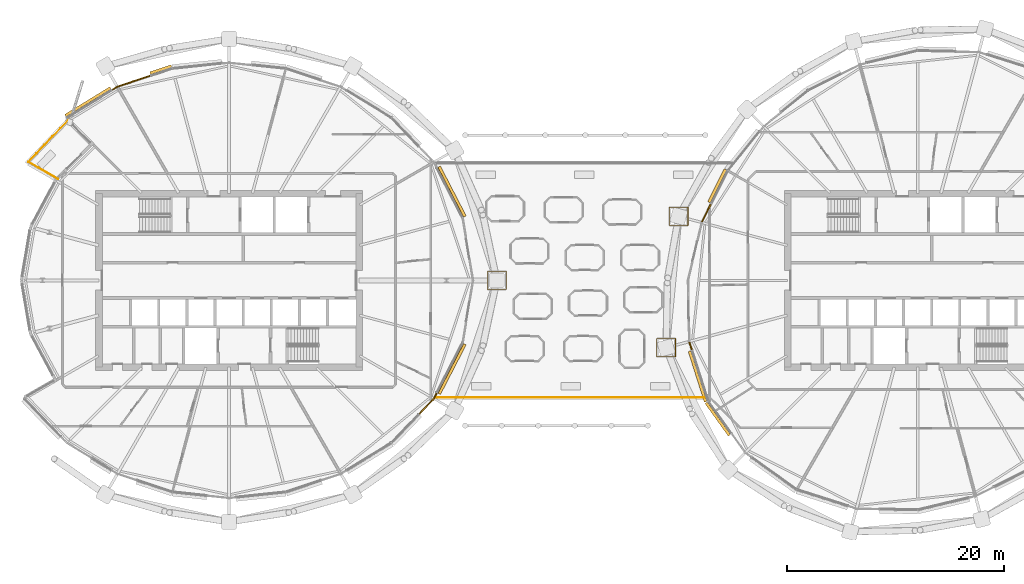
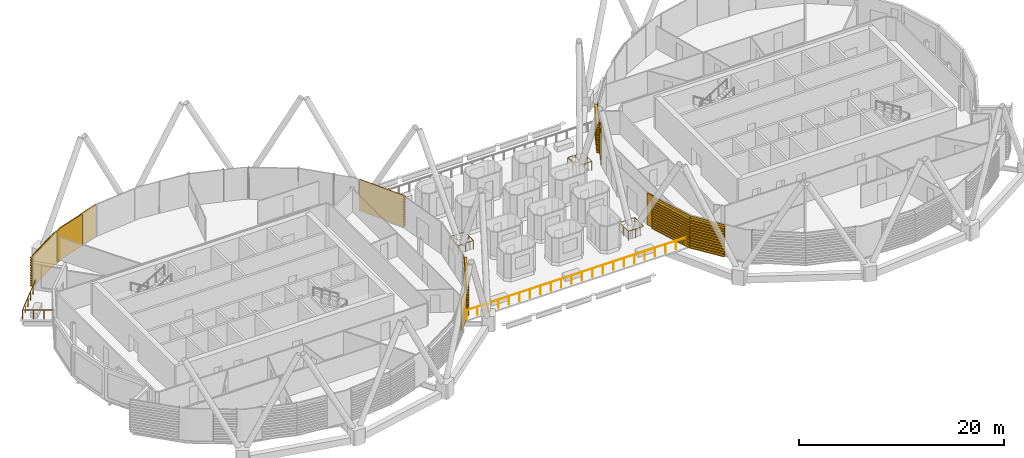
# One storey, part 34 of 38: 11 coverings, 5 railings.
"""IFC4 building model written with IfcOpenShell, lengths in metres."""

from ifc_helpers import new_model, si_unit, direction, frame, origin, origin_2d, place, context, subcontext, project, spatial, polyline, circle, outline, extrude, material, layer, layer_set, material_profile, profile_set, type_object, element, save


model = new_model("IFC4")

# Units and contexts
model_context = context("Model", 3, precision=1e-05, world=origin(), true_north=direction((0.0, 1.0)))
body_context = subcontext(model_context, "Body", "Model", "MODEL_VIEW")
ifc_project = project(units=[si_unit("LENGTHUNIT", "METRE"), si_unit("AREAUNIT", "SQUARE_METRE"), si_unit("VOLUMEUNIT", "CUBIC_METRE"), si_unit("PLANEANGLEUNIT", "RADIAN"), si_unit("MASSUNIT", "GRAM", prefix="KILO")], contexts=[model_context])

# Site, building, storey
site_placement = place(None, origin())
site = spatial("IfcSite", under=ifc_project, at=site_placement, CompositionType="ELEMENT")
building_placement = place(site_placement, origin())
building = spatial("IfcBuilding", under=site, at=building_placement, Name="Rimbun Link Towers", CompositionType="ELEMENT")
storey_placement = place(building_placement, frame((0.0, 0.0, 158.89990234375)))
storey = spatial("IfcBuildingStorey", under=building, at=storey_placement, Name="L38", CompositionType="ELEMENT", Elevation=158.89990234375)

# Railings
ifc_material_1 = material(Name="Stainless steel grade 316", Category="steel")
railing_type = type_object("IfcRailingType", Name="GUARD stainless rail and posts", PredefinedType="GUARDRAIL", material=ifc_material_1)
railing_1_placement = place(storey_placement, frame((-6.208984375, 0.85498046875, 0.0)))
element("IfcRailing", 1, at=railing_1_placement, inside=storey, type_object=railing_type, Name="GUARD", PredefinedType="GUARDRAIL", context=body_context, shape_type="SweptSolid", body=[
    extrude(circle(Radius=0.02392578125, at=origin_2d()), frame((0.0, 0.0, 1.076171875), z_axis=(0.0, -1.0, 0.0), x_axis=(1.0, 0.0, 0.0)), (0.0, 0.0, 1.0), 1.7099609375),
    extrude(circle(Radius=0.02392578125, at=origin_2d()), frame((0.0, -1.7099609375, 1.076171875), z_axis=(-1.0, 0.0, 0.0), x_axis=(0.0, -1.0, 0.0)), (0.0, 0.0, 1.0), 1.7099609375),
    extrude(circle(Radius=0.02392578125, at=origin_2d()), frame((-1.7099609375, -1.7099609375, 1.076171875), z_axis=(0.0, 1.0, 0.0), x_axis=(-1.0, 0.0, 0.0)), (0.0, 0.0, 1.0), 1.7099609375),
    extrude(circle(Radius=0.02392578125, at=origin_2d()), frame((-1.7099609375, 0.0, 1.076171875), z_axis=(1.0, 0.0, 0.0), x_axis=(0.0, 1.0, 0.0)), (0.0, 0.0, 1.0), 1.7099609375),
    extrude(circle(Radius=0.02099609375, at=origin_2d()), origin(), (0.0, 0.0, 1.0), 1.052001953125),
    extrude(circle(Radius=0.02099609375, at=origin_2d()), frame((0.0, -0.85498046875, 0.0)), (0.0, 0.0, 1.0), 1.052001953125),
    extrude(circle(Radius=0.02099609375, at=origin_2d()), frame((0.0, -1.7099609375, 0.0)), (0.0, 0.0, 1.0), 1.052001953125),
    extrude(circle(Radius=0.02099609375, at=origin_2d()), frame((-0.85498046875, -1.7099609375, 0.0)), (0.0, 0.0, 1.0), 1.052001953125),
    extrude(circle(Radius=0.02099609375, at=origin_2d()), frame((-1.7099609375, -1.7099609375, 0.0)), (0.0, 0.0, 1.0), 1.052001953125),
    extrude(circle(Radius=0.02099609375, at=origin_2d()), frame((-1.7099609375, -0.85498046875, 0.0)), (0.0, 0.0, 1.0), 1.052001953125),
    extrude(circle(Radius=0.02099609375, at=origin_2d()), frame((-1.7099609375, 0.0, 0.0)), (0.0, 0.0, 1.0), 1.052001953125),
    extrude(circle(Radius=0.02099609375, at=origin_2d()), frame((-0.85498046875, 0.0, 0.0)), (0.0, 0.0, 1.0), 1.052001953125),
])
railing_2_placement = place(storey_placement, frame((10.572021484375, 6.7587890625, 0.0)))
element("IfcRailing", 2, at=railing_2_placement, inside=storey, type_object=railing_type, Name="GUARD", PredefinedType="GUARDRAIL", context=body_context, shape_type="SweptSolid", body=[
    extrude(circle(Radius=0.02392578125, at=origin_2d()), frame((0.0, 0.0, 1.076171875), z_axis=(0.0, -1.0, 0.0), x_axis=(1.0, 0.0, 0.0)), (0.0, 0.0, 1.0), 1.710205078125),
    extrude(circle(Radius=0.02392578125, at=origin_2d()), frame((0.0, -1.710205078125, 1.076171875), z_axis=(-1.0, 0.0, 0.0), x_axis=(0.0, -1.0, 0.0)), (0.0, 0.0, 1.0), 1.7099609375),
    extrude(circle(Radius=0.02392578125, at=origin_2d()), frame((-1.7099609375, -1.710205078125, 1.076171875), z_axis=(0.0, 1.0, 0.0), x_axis=(-1.0, 0.0, 0.0)), (0.0, 0.0, 1.0), 1.710205078125),
    extrude(circle(Radius=0.02392578125, at=origin_2d()), frame((-1.7099609375, 0.0, 1.076171875), z_axis=(1.0, 0.0, 0.0), x_axis=(0.0, 1.0, 0.0)), (0.0, 0.0, 1.0), 1.7099609375),
    extrude(circle(Radius=0.02099609375, at=origin_2d()), origin(), (0.0, 0.0, 1.0), 1.052001953125),
    extrude(circle(Radius=0.02099609375, at=origin_2d()), frame((0.0, -0.85498046875, 0.0)), (0.0, 0.0, 1.0), 1.052001953125),
    extrude(circle(Radius=0.02099609375, at=origin_2d()), frame((0.0, -1.710205078125, 0.0)), (0.0, 0.0, 1.0), 1.052001953125),
    extrude(circle(Radius=0.02099609375, at=origin_2d()), frame((-0.85498046875, -1.710205078125, 0.0)), (0.0, 0.0, 1.0), 1.052001953125),
    extrude(circle(Radius=0.02099609375, at=origin_2d()), frame((-1.7099609375, -1.710205078125, 0.0)), (0.0, 0.0, 1.0), 1.052001953125),
    extrude(circle(Radius=0.02099609375, at=origin_2d()), frame((-1.7099609375, -0.85498046875, 0.0)), (0.0, 0.0, 1.0), 1.052001953125),
    extrude(circle(Radius=0.02099609375, at=origin_2d()), frame((-1.7099609375, 0.0, 0.0)), (0.0, 0.0, 1.0), 1.052001953125),
    extrude(circle(Radius=0.02099609375, at=origin_2d()), frame((-0.85498046875, 0.0, 0.0)), (0.0, 0.0, 1.0), 1.052001953125),
])
railing_3_placement = place(storey_placement, frame((9.418212890625, -5.35791015625, 0.0)))
element("IfcRailing", 3, at=railing_3_placement, inside=storey, type_object=railing_type, Name="GUARD", PredefinedType="GUARDRAIL", context=body_context, shape_type="SweptSolid", body=[
    extrude(circle(Radius=0.02392578125, at=origin_2d()), frame((0.0, 0.0, 1.076171875), z_axis=(0.0, -1.0, 0.0), x_axis=(1.0, 0.0, 0.0)), (0.0, 0.0, 1.0), 1.7099609375),
    extrude(circle(Radius=0.02392578125, at=origin_2d()), frame((0.0, -1.7099609375, 1.076171875), z_axis=(-1.0, 0.0, 0.0), x_axis=(0.0, -1.0, 0.0)), (0.0, 0.0, 1.0), 1.710205078125),
    extrude(circle(Radius=0.02392578125, at=origin_2d()), frame((-1.710205078125, -1.7099609375, 1.076171875), z_axis=(0.0, 1.0, 0.0), x_axis=(-1.0, 0.0, 0.0)), (0.0, 0.0, 1.0), 1.7099609375),
    extrude(circle(Radius=0.02392578125, at=origin_2d()), frame((-1.710205078125, 0.0, 1.076171875), z_axis=(1.0, 0.0, 0.0), x_axis=(0.0, 1.0, 0.0)), (0.0, 0.0, 1.0), 1.710205078125),
    extrude(circle(Radius=0.02099609375, at=origin_2d()), origin(), (0.0, 0.0, 1.0), 1.052001953125),
    extrude(circle(Radius=0.02099609375, at=origin_2d()), frame((0.0, -0.85498046875, 0.0)), (0.0, 0.0, 1.0), 1.052001953125),
    extrude(circle(Radius=0.02099609375, at=origin_2d()), frame((0.0, -1.7099609375, 0.0)), (0.0, 0.0, 1.0), 1.052001953125),
    extrude(circle(Radius=0.02099609375, at=origin_2d()), frame((-0.85498046875, -1.7099609375, 0.0)), (0.0, 0.0, 1.0), 1.052001953125),
    extrude(circle(Radius=0.02099609375, at=origin_2d()), frame((-1.710205078125, -1.7099609375, 0.0)), (0.0, 0.0, 1.0), 1.052001953125),
    extrude(circle(Radius=0.02099609375, at=origin_2d()), frame((-1.710205078125, -0.85498046875, 0.0)), (0.0, 0.0, 1.0), 1.052001953125),
    extrude(circle(Radius=0.02099609375, at=origin_2d()), frame((-1.710205078125, 0.0, 0.0)), (0.0, 0.0, 1.0), 1.052001953125),
    extrude(circle(Radius=0.02099609375, at=origin_2d()), frame((-0.85498046875, 0.0, 0.0)), (0.0, 0.0, 1.0), 1.052001953125),
])
railing_4_placement = place(storey_placement, frame((-12.626953125, -10.800048828125, 0.0)))
element("IfcRailing", 4, at=railing_4_placement, inside=storey, type_object=railing_type, Name="GUARD", PredefinedType="GUARDRAIL", context=body_context, shape_type="SweptSolid", body=[
    extrude(circle(Radius=0.02392578125, at=origin_2d()), frame((0.0, 0.0, 1.076171875), z_axis=(1.0, 0.0, 0.0), x_axis=(0.0, 1.0, 0.0)), (0.0, 0.0, 1.0), 24.748291015625),
    extrude(circle(Radius=0.02099609375, at=origin_2d()), origin(), (0.0, 0.0, 1.0), 1.052001953125),
    extrude(circle(Radius=0.02099609375, at=origin_2d()), frame((1.178466796875, 0.0, 0.0)), (0.0, 0.0, 1.0), 1.052001953125),
    extrude(circle(Radius=0.02099609375, at=origin_2d()), frame((2.35693359375, 0.0, 0.0)), (0.0, 0.0, 1.0), 1.052001953125),
    extrude(circle(Radius=0.02099609375, at=origin_2d()), frame((3.535400390625, 0.0, 0.0)), (0.0, 0.0, 1.0), 1.052001953125),
    extrude(circle(Radius=0.02099609375, at=origin_2d()), frame((4.7138671875, 0.0, 0.0)), (0.0, 0.0, 1.0), 1.052001953125),
    extrude(circle(Radius=0.02099609375, at=origin_2d()), frame((5.892333984375, 0.0, 0.0)), (0.0, 0.0, 1.0), 1.052001953125),
    extrude(circle(Radius=0.02099609375, at=origin_2d()), frame((7.071044921875, 0.0, 0.0)), (0.0, 0.0, 1.0), 1.052001953125),
    extrude(circle(Radius=0.02099609375, at=origin_2d()), frame((8.24951171875, 0.0, 0.0)), (0.0, 0.0, 1.0), 1.052001953125),
    extrude(circle(Radius=0.02099609375, at=origin_2d()), frame((9.427978515625, 0.0, 0.0)), (0.0, 0.0, 1.0), 1.052001953125),
    extrude(circle(Radius=0.02099609375, at=origin_2d()), frame((10.6064453125, 0.0, 0.0)), (0.0, 0.0, 1.0), 1.052001953125),
    extrude(circle(Radius=0.02099609375, at=origin_2d()), frame((11.784912109375, 0.0, 0.0)), (0.0, 0.0, 1.0), 1.052001953125),
    extrude(circle(Radius=0.02099609375, at=origin_2d()), frame((12.96337890625, 0.0, 0.0)), (0.0, 0.0, 1.0), 1.052001953125),
    extrude(circle(Radius=0.02099609375, at=origin_2d()), frame((14.141845703125, 0.0, 0.0)), (0.0, 0.0, 1.0), 1.052001953125),
    extrude(circle(Radius=0.02099609375, at=origin_2d()), frame((15.3203125, 0.0, 0.0)), (0.0, 0.0, 1.0), 1.052001953125),
    extrude(circle(Radius=0.02099609375, at=origin_2d()), frame((16.498779296875, 0.0, 0.0)), (0.0, 0.0, 1.0), 1.052001953125),
    extrude(circle(Radius=0.02099609375, at=origin_2d()), frame((17.67724609375, 0.0, 0.0)), (0.0, 0.0, 1.0), 1.052001953125),
    extrude(circle(Radius=0.02099609375, at=origin_2d()), frame((18.85595703125, 0.0, 0.0)), (0.0, 0.0, 1.0), 1.052001953125),
    extrude(circle(Radius=0.02099609375, at=origin_2d()), frame((20.034423828125, 0.0, 0.0)), (0.0, 0.0, 1.0), 1.052001953125),
    extrude(circle(Radius=0.02099609375, at=origin_2d()), frame((21.212890625, 0.0, 0.0)), (0.0, 0.0, 1.0), 1.052001953125),
    extrude(circle(Radius=0.02099609375, at=origin_2d()), frame((22.391357421875, 0.0, 0.0)), (0.0, 0.0, 1.0), 1.052001953125),
    extrude(circle(Radius=0.02099609375, at=origin_2d()), frame((23.56982421875, 0.0, 0.0)), (0.0, 0.0, 1.0), 1.052001953125),
    extrude(circle(Radius=0.02099609375, at=origin_2d()), frame((24.748291015625, 0.0, 0.0)), (0.0, 0.0, 1.0), 1.052001953125),
])
railing_5_placement = place(storey_placement, frame((-46.54833984375, 14.80419921875, 0.0)))
element("IfcRailing", 5, at=railing_5_placement, inside=storey, type_object=railing_type, Name="GUARD", PredefinedType="GUARDRAIL", context=body_context, shape_type="SweptSolid", body=[
    extrude(circle(Radius=0.02392578125, at=origin_2d()), frame((0.0, 0.0, 1.076171875), z_axis=(-0.692056240856, -0.721843583813, 0.0), x_axis=(0.721843583813, -0.692056240856, 0.0)), (0.0, 0.0, 1.0), 5.376708984375),
    extrude(circle(Radius=0.02392578125, at=origin_2d()), frame((-3.720947265625, -3.881103515625, 1.076171875), z_axis=(0.866022701302, -0.500004680807, 0.0), x_axis=(0.500004680807, 0.866022701302, 0.0)), (0.0, 0.0, 1.0), 3.14501953125),
    extrude(circle(Radius=0.02099609375, at=origin_2d()), origin(), (0.0, 0.0, 1.0), 1.052001953125),
    extrude(circle(Radius=0.02099609375, at=origin_2d()), frame((-0.744140625, -0.776123046875, 0.0)), (0.0, 0.0, 1.0), 1.052001953125),
    extrude(circle(Radius=0.02099609375, at=origin_2d()), frame((-1.48828125, -1.552490234375, 0.0)), (0.0, 0.0, 1.0), 1.052001953125),
    extrude(circle(Radius=0.02099609375, at=origin_2d()), frame((-2.232666015625, -2.32861328125, 0.0)), (0.0, 0.0, 1.0), 1.052001953125),
    extrude(circle(Radius=0.02099609375, at=origin_2d()), frame((-2.976806640625, -3.10498046875, 0.0)), (0.0, 0.0, 1.0), 1.052001953125),
    extrude(circle(Radius=0.02099609375, at=origin_2d()), frame((-3.720947265625, -3.881103515625, 0.0)), (0.0, 0.0, 1.0), 1.052001953125),
    extrude(circle(Radius=0.02099609375, at=origin_2d()), frame((-2.81298828125, -4.4052734375, 0.0)), (0.0, 0.0, 1.0), 1.052001953125),
    extrude(circle(Radius=0.02099609375, at=origin_2d()), frame((-1.9052734375, -4.929443359375, 0.0)), (0.0, 0.0, 1.0), 1.052001953125),
    extrude(circle(Radius=0.02099609375, at=origin_2d()), frame((-0.997314453125, -5.45361328125, 0.0)), (0.0, 0.0, 1.0), 1.052001953125),
])

# Coverings
ifc_material_2 = material(Name="Terracotta", Category="masonry")
ifc_layer = layer(ifc_material_2, 0.1201171875)
ifc_layer_set = layer_set([ifc_layer], Name="LINK PIER terracotta cladding 120")
covering_type_1 = type_object("IfcCoveringType", Name="LINK PIER terracotta cladding 120", PredefinedType="CLADDING", material=ifc_layer_set)
covering_1_placement = place(storey_placement, origin())
element("IfcCovering", 6, at=covering_1_placement, inside=storey, type_object=covering_type_1, Name="LINK PIER cladding", PredefinedType="CLADDING", context=body_context, shape_type="SweptSolid", body=[
    extrude(outline(polyline([(-42.515869140625, 17.50732421875), (-42.030029296875, 17.8056640625), (-38.9736328125, 18.818359375), (-39.01123046875, 18.932373046875), (-42.0810546875, 17.9150390625), (-42.57861328125, 17.609619140625), (-42.515869140625, 17.50732421875)])), origin(), (0.0, 0.0, 1.0), 3.800048828125),
])
covering_2_placement = place(storey_placement, origin())
element("IfcCovering", 7, at=covering_2_placement, inside=storey, type_object=covering_type_1, Name="LINK PIER cladding", PredefinedType="CLADDING", context=body_context, shape_type="SweptSolid", body=[
    extrude(outline(polyline([(-12.64794921875, -10.37109375), (-12.909912109375, -10.87744140625), (-14.273193359375, -12.299560546875), (-14.1865234375, -12.382568359375), (-12.811279296875, -10.947998046875), (-12.541259765625, -10.42626953125), (-12.64794921875, -10.37109375)])), origin(), (0.0, 0.0, 1.0), 3.800048828125),
])
covering_3_placement = place(storey_placement, origin())
element("IfcCovering", 8, at=covering_3_placement, inside=storey, type_object=covering_type_1, Name="LINK PIER cladding", PredefinedType="CLADDING", context=body_context, shape_type="SweptSolid", body=[
    extrude(outline(polyline([(11.904052734375, 5.34814453125), (12.752197265625, 7.037109375), (12.644775390625, 7.091064453125), (11.796630859375, 5.40185546875), (11.904052734375, 5.34814453125)])), origin(), (0.0, 0.0, 1.0), 3.800048828125),
])
covering_4_placement = place(storey_placement, origin())
element("IfcCovering", 9, at=covering_4_placement, inside=storey, type_object=covering_type_1, Name="LINK PIER cladding", PredefinedType="CLADDING", context=body_context, shape_type="SweptSolid", body=[
    extrude(outline(polyline([(10.98486328125, -6.412109375), (10.74560546875, -5.6591796875), (10.631103515625, -5.695556640625), (10.87060546875, -6.448486328125), (10.98486328125, -6.412109375)])), origin(), (0.0, 0.0, 1.0), 3.800048828125),
])
ifc_material_3 = material(Name="Terracotta", Category="masonry")
ifc_material_profile = material_profile(ifc_material_3, outline(polyline([(0.123046875, 0.0), (0.1630859375, 0.0), (0.1630859375, 0.10009765625), (0.423095703125, 0.10009765625), (0.423095703125, 0.219970703125), (0.1630859375, 0.219970703125), (0.1630859375, 0.39990234375), (0.423095703125, 0.39990234375), (0.423095703125, 0.52001953125), (0.1630859375, 0.52001953125), (0.1630859375, 0.699951171875), (0.423095703125, 0.699951171875), (0.423095703125, 0.820068359375), (0.1630859375, 0.820068359375), (0.1630859375, 1.0), (0.423095703125, 1.0), (0.423095703125, 1.1201171875), (0.1630859375, 1.1201171875), (0.1630859375, 1.300048828125), (0.423095703125, 1.300048828125), (0.423095703125, 1.419921875), (0.1630859375, 1.419921875), (0.1630859375, 1.60009765625), (0.423095703125, 1.60009765625), (0.423095703125, 1.719970703125), (0.1630859375, 1.719970703125), (0.1630859375, 1.89990234375), (0.423095703125, 1.89990234375), (0.423095703125, 2.02001953125), (0.1630859375, 2.02001953125), (0.1630859375, 2.199951171875), (0.423095703125, 2.199951171875), (0.423095703125, 2.320068359375), (0.1630859375, 2.320068359375), (0.1630859375, 2.5), (0.423095703125, 2.5), (0.423095703125, 2.6201171875), (0.1630859375, 2.6201171875), (0.1630859375, 2.800048828125), (0.423095703125, 2.800048828125), (0.423095703125, 2.919921875), (0.1630859375, 2.919921875), (0.1630859375, 3.10009765625), (0.423095703125, 3.10009765625), (0.423095703125, 3.219970703125), (0.1630859375, 3.219970703125), (0.1630859375, 3.39990234375), (0.423095703125, 3.39990234375), (0.423095703125, 3.52001953125), (0.1630859375, 3.52001953125), (0.1630859375, 3.800048828125), (0.123046875, 3.800048828125), (0.123046875, 0.0)])), Name="BAGUETTE 120X300")
ifc_profile_set = profile_set([ifc_material_profile], Name="Terracotta")
covering_type_2 = type_object("IfcCoveringType", Name="TERRACOTTA BAGUETTE 120X300 H3800", PredefinedType="CLADDING", material=ifc_profile_set)
covering_5_placement = place(storey_placement, frame((-12.634033203125, 10.344482421875, 0.0), z_axis=(0.459575962329, -0.888138466034, 0.0), x_axis=(0.888138466034, 0.459575962329, 0.0)))
element("IfcCovering", 10, at=covering_5_placement, inside=storey, type_object=covering_type_2, Name="TERRACOTTA BAGUETTE", PredefinedType="CLADDING", context=body_context, shape_type="SweptSolid", body=[
    extrude(outline(polyline([(0.123046875, 0.0), (0.1630859375, 0.0), (0.1630859375, 0.10009765625), (0.423095703125, 0.10009765625), (0.423095703125, 0.219970703125), (0.1630859375, 0.219970703125), (0.1630859375, 0.39990234375), (0.423095703125, 0.39990234375), (0.423095703125, 0.52001953125), (0.1630859375, 0.52001953125), (0.1630859375, 0.699951171875), (0.423095703125, 0.699951171875), (0.423095703125, 0.820068359375), (0.1630859375, 0.820068359375), (0.1630859375, 1.0), (0.423095703125, 1.0), (0.423095703125, 1.1201171875), (0.1630859375, 1.1201171875), (0.1630859375, 1.300048828125), (0.423095703125, 1.300048828125), (0.423095703125, 1.419921875), (0.1630859375, 1.419921875), (0.1630859375, 1.60009765625), (0.423095703125, 1.60009765625), (0.423095703125, 1.719970703125), (0.1630859375, 1.719970703125), (0.1630859375, 1.89990234375), (0.423095703125, 1.89990234375), (0.423095703125, 2.02001953125), (0.1630859375, 2.02001953125), (0.1630859375, 2.199951171875), (0.423095703125, 2.199951171875), (0.423095703125, 2.320068359375), (0.1630859375, 2.320068359375), (0.1630859375, 2.5), (0.423095703125, 2.5), (0.423095703125, 2.6201171875), (0.1630859375, 2.6201171875), (0.1630859375, 2.800048828125), (0.423095703125, 2.800048828125), (0.423095703125, 2.919921875), (0.1630859375, 2.919921875), (0.1630859375, 3.10009765625), (0.423095703125, 3.10009765625), (0.423095703125, 3.219970703125), (0.1630859375, 3.219970703125), (0.1630859375, 3.39990234375), (0.423095703125, 3.39990234375), (0.423095703125, 3.52001953125), (0.1630859375, 3.52001953125), (0.1630859375, 3.800048828125), (0.123046875, 3.800048828125), (0.123046875, 0.0)])), origin(), (0.0, 0.0, 1.0), 5.1640625),
])
covering_6_placement = place(storey_placement, frame((-38.945068359375, 18.827880859375, 0.0), z_axis=(0.949221713149, 0.31460791358, 0.0), x_axis=(-0.31460791358, 0.949221713149, 0.0)))
element("IfcCovering", 11, at=covering_6_placement, inside=storey, type_object=covering_type_2, Name="TERRACOTTA BAGUETTE", PredefinedType="CLADDING", context=body_context, shape_type="SweptSolid", body=[
    extrude(outline(polyline([(0.123046875, 0.0), (0.1630859375, 0.0), (0.1630859375, 0.10009765625), (0.423095703125, 0.10009765625), (0.423095703125, 0.219970703125), (0.1630859375, 0.219970703125), (0.1630859375, 0.39990234375), (0.423095703125, 0.39990234375), (0.423095703125, 0.52001953125), (0.1630859375, 0.52001953125), (0.1630859375, 0.699951171875), (0.423095703125, 0.699951171875), (0.423095703125, 0.820068359375), (0.1630859375, 0.820068359375), (0.1630859375, 1.0), (0.423095703125, 1.0), (0.423095703125, 1.1201171875), (0.1630859375, 1.1201171875), (0.1630859375, 1.300048828125), (0.423095703125, 1.300048828125), (0.423095703125, 1.419921875), (0.1630859375, 1.419921875), (0.1630859375, 1.60009765625), (0.423095703125, 1.60009765625), (0.423095703125, 1.719970703125), (0.1630859375, 1.719970703125), (0.1630859375, 1.89990234375), (0.423095703125, 1.89990234375), (0.423095703125, 2.02001953125), (0.1630859375, 2.02001953125), (0.1630859375, 2.199951171875), (0.423095703125, 2.199951171875), (0.423095703125, 2.320068359375), (0.1630859375, 2.320068359375), (0.1630859375, 2.5), (0.423095703125, 2.5), (0.423095703125, 2.6201171875), (0.1630859375, 2.6201171875), (0.1630859375, 2.800048828125), (0.423095703125, 2.800048828125), (0.423095703125, 2.919921875), (0.1630859375, 2.919921875), (0.1630859375, 3.10009765625), (0.423095703125, 3.10009765625), (0.423095703125, 3.219970703125), (0.1630859375, 3.219970703125), (0.1630859375, 3.39990234375), (0.423095703125, 3.39990234375), (0.423095703125, 3.52001953125), (0.1630859375, 3.52001953125), (0.1630859375, 3.800048828125), (0.123046875, 3.800048828125), (0.123046875, 0.0)])), origin(), (0.0, 0.0, 1.0), 2.08056640625),
])
covering_7_placement = place(storey_placement, frame((-46.692626953125, 14.942626953125, 0.0), z_axis=(0.852158679137, 0.523283465792, 0.0), x_axis=(-0.523283465792, 0.852158679137, 0.0)))
element("IfcCovering", 12, at=covering_7_placement, inside=storey, type_object=covering_type_2, Name="TERRACOTTA BAGUETTE", PredefinedType="CLADDING", context=body_context, shape_type="SweptSolid", body=[
    extrude(outline(polyline([(0.123046875, 0.0), (0.1630859375, 0.0), (0.1630859375, 0.10009765625), (0.423095703125, 0.10009765625), (0.423095703125, 0.219970703125), (0.1630859375, 0.219970703125), (0.1630859375, 0.39990234375), (0.423095703125, 0.39990234375), (0.423095703125, 0.52001953125), (0.1630859375, 0.52001953125), (0.1630859375, 0.699951171875), (0.423095703125, 0.699951171875), (0.423095703125, 0.820068359375), (0.1630859375, 0.820068359375), (0.1630859375, 1.0), (0.423095703125, 1.0), (0.423095703125, 1.1201171875), (0.1630859375, 1.1201171875), (0.1630859375, 1.300048828125), (0.423095703125, 1.300048828125), (0.423095703125, 1.419921875), (0.1630859375, 1.419921875), (0.1630859375, 1.60009765625), (0.423095703125, 1.60009765625), (0.423095703125, 1.719970703125), (0.1630859375, 1.719970703125), (0.1630859375, 1.89990234375), (0.423095703125, 1.89990234375), (0.423095703125, 2.02001953125), (0.1630859375, 2.02001953125), (0.1630859375, 2.199951171875), (0.423095703125, 2.199951171875), (0.423095703125, 2.320068359375), (0.1630859375, 2.320068359375), (0.1630859375, 2.5), (0.423095703125, 2.5), (0.423095703125, 2.6201171875), (0.1630859375, 2.6201171875), (0.1630859375, 2.800048828125), (0.423095703125, 2.800048828125), (0.423095703125, 2.919921875), (0.1630859375, 2.919921875), (0.1630859375, 3.10009765625), (0.423095703125, 3.10009765625), (0.423095703125, 3.219970703125), (0.1630859375, 3.219970703125), (0.1630859375, 3.39990234375), (0.423095703125, 3.39990234375), (0.423095703125, 3.52001953125), (0.1630859375, 3.52001953125), (0.1630859375, 3.800048828125), (0.123046875, 3.800048828125), (0.123046875, 0.0)])), origin(), (0.0, 0.0, 1.0), 4.871337890625),
])
covering_8_placement = place(storey_placement, frame((-10.2607421875, -5.758056640625, 0.0), z_axis=(-0.459575962329, -0.888138466034, 0.0), x_axis=(0.888138466034, -0.459575962329, 0.0)))
element("IfcCovering", 13, at=covering_8_placement, inside=storey, type_object=covering_type_2, Name="TERRACOTTA BAGUETTE", PredefinedType="CLADDING", context=body_context, shape_type="SweptSolid", body=[
    extrude(outline(polyline([(0.123046875, 0.0), (0.1630859375, 0.0), (0.1630859375, 0.10009765625), (0.423095703125, 0.10009765625), (0.423095703125, 0.219970703125), (0.1630859375, 0.219970703125), (0.1630859375, 0.39990234375), (0.423095703125, 0.39990234375), (0.423095703125, 0.52001953125), (0.1630859375, 0.52001953125), (0.1630859375, 0.699951171875), (0.423095703125, 0.699951171875), (0.423095703125, 0.820068359375), (0.1630859375, 0.820068359375), (0.1630859375, 1.0), (0.423095703125, 1.0), (0.423095703125, 1.1201171875), (0.1630859375, 1.1201171875), (0.1630859375, 1.300048828125), (0.423095703125, 1.300048828125), (0.423095703125, 1.419921875), (0.1630859375, 1.419921875), (0.1630859375, 1.60009765625), (0.423095703125, 1.60009765625), (0.423095703125, 1.719970703125), (0.1630859375, 1.719970703125), (0.1630859375, 1.89990234375), (0.423095703125, 1.89990234375), (0.423095703125, 2.02001953125), (0.1630859375, 2.02001953125), (0.1630859375, 2.199951171875), (0.423095703125, 2.199951171875), (0.423095703125, 2.320068359375), (0.1630859375, 2.320068359375), (0.1630859375, 2.5), (0.423095703125, 2.5), (0.423095703125, 2.6201171875), (0.1630859375, 2.6201171875), (0.1630859375, 2.800048828125), (0.423095703125, 2.800048828125), (0.423095703125, 2.919921875), (0.1630859375, 2.919921875), (0.1630859375, 3.10009765625), (0.423095703125, 3.10009765625), (0.423095703125, 3.219970703125), (0.1630859375, 3.219970703125), (0.1630859375, 3.39990234375), (0.423095703125, 3.39990234375), (0.423095703125, 3.52001953125), (0.1630859375, 3.52001953125), (0.1630859375, 3.800048828125), (0.123046875, 3.800048828125), (0.123046875, 0.0)])), origin(), (0.0, 0.0, 1.0), 5.1640625),
])
covering_9_placement = place(storey_placement, frame((12.765625, 7.06396484375, 0.0), z_axis=(0.448801824507, 0.893631312298, 0.0), x_axis=(-0.893631312298, 0.448801824507, 0.0)))
element("IfcCovering", 14, at=covering_9_placement, inside=storey, type_object=covering_type_2, Name="TERRACOTTA BAGUETTE", PredefinedType="CLADDING", context=body_context, shape_type="SweptSolid", body=[
    extrude(outline(polyline([(0.123046875, 0.0), (0.1630859375, 0.0), (0.1630859375, 0.10009765625), (0.423095703125, 0.10009765625), (0.423095703125, 0.219970703125), (0.1630859375, 0.219970703125), (0.1630859375, 0.39990234375), (0.423095703125, 0.39990234375), (0.423095703125, 0.52001953125), (0.1630859375, 0.52001953125), (0.1630859375, 0.699951171875), (0.423095703125, 0.699951171875), (0.423095703125, 0.820068359375), (0.1630859375, 0.820068359375), (0.1630859375, 1.0), (0.423095703125, 1.0), (0.423095703125, 1.1201171875), (0.1630859375, 1.1201171875), (0.1630859375, 1.300048828125), (0.423095703125, 1.300048828125), (0.423095703125, 1.419921875), (0.1630859375, 1.419921875), (0.1630859375, 1.60009765625), (0.423095703125, 1.60009765625), (0.423095703125, 1.719970703125), (0.1630859375, 1.719970703125), (0.1630859375, 1.89990234375), (0.423095703125, 1.89990234375), (0.423095703125, 2.02001953125), (0.1630859375, 2.02001953125), (0.1630859375, 2.199951171875), (0.423095703125, 2.199951171875), (0.423095703125, 2.320068359375), (0.1630859375, 2.320068359375), (0.1630859375, 2.5), (0.423095703125, 2.5), (0.423095703125, 2.6201171875), (0.1630859375, 2.6201171875), (0.1630859375, 2.800048828125), (0.423095703125, 2.800048828125), (0.423095703125, 2.919921875), (0.1630859375, 2.919921875), (0.1630859375, 3.10009765625), (0.423095703125, 3.10009765625), (0.423095703125, 3.219970703125), (0.1630859375, 3.219970703125), (0.1630859375, 3.39990234375), (0.423095703125, 3.39990234375), (0.423095703125, 3.52001953125), (0.1630859375, 3.52001953125), (0.1630859375, 3.800048828125), (0.123046875, 3.800048828125), (0.123046875, 0.0)])), origin(), (0.0, 0.0, 1.0), 3.38037109375),
])
covering_10_placement = place(storey_placement, frame((12.4833984375, -11.12353515625, 0.0), z_axis=(-0.30306625688, 0.952969487413, 0.0), x_axis=(-0.952969487413, -0.30306625688, 0.0)))
element("IfcCovering", 15, at=covering_10_placement, inside=storey, type_object=covering_type_2, Name="TERRACOTTA BAGUETTE", PredefinedType="CLADDING", context=body_context, shape_type="SweptSolid", body=[
    extrude(outline(polyline([(0.123046875, 0.0), (0.1630859375, 0.0), (0.1630859375, 0.10009765625), (0.423095703125, 0.10009765625), (0.423095703125, 0.219970703125), (0.1630859375, 0.219970703125), (0.1630859375, 0.39990234375), (0.423095703125, 0.39990234375), (0.423095703125, 0.52001953125), (0.1630859375, 0.52001953125), (0.1630859375, 0.699951171875), (0.423095703125, 0.699951171875), (0.423095703125, 0.820068359375), (0.1630859375, 0.820068359375), (0.1630859375, 1.0), (0.423095703125, 1.0), (0.423095703125, 1.1201171875), (0.1630859375, 1.1201171875), (0.1630859375, 1.300048828125), (0.423095703125, 1.300048828125), (0.423095703125, 1.419921875), (0.1630859375, 1.419921875), (0.1630859375, 1.60009765625), (0.423095703125, 1.60009765625), (0.423095703125, 1.719970703125), (0.1630859375, 1.719970703125), (0.1630859375, 1.89990234375), (0.423095703125, 1.89990234375), (0.423095703125, 2.02001953125), (0.1630859375, 2.02001953125), (0.1630859375, 2.199951171875), (0.423095703125, 2.199951171875), (0.423095703125, 2.320068359375), (0.1630859375, 2.320068359375), (0.1630859375, 2.5), (0.423095703125, 2.5), (0.423095703125, 2.6201171875), (0.1630859375, 2.6201171875), (0.1630859375, 2.800048828125), (0.423095703125, 2.800048828125), (0.423095703125, 2.919921875), (0.1630859375, 2.919921875), (0.1630859375, 3.10009765625), (0.423095703125, 3.10009765625), (0.423095703125, 3.219970703125), (0.1630859375, 3.219970703125), (0.1630859375, 3.39990234375), (0.423095703125, 3.39990234375), (0.423095703125, 3.52001953125), (0.1630859375, 3.52001953125), (0.1630859375, 3.800048828125), (0.123046875, 3.800048828125), (0.123046875, 0.0)])), origin(), (0.0, 0.0, 1.0), 4.9140625),
])
covering_11_placement = place(storey_placement, frame((14.6318359375, -14.11767578125, 0.0), z_axis=(-0.582991546655, 0.812478219111, 0.0), x_axis=(-0.812478219111, -0.582991546655, 0.0)))
element("IfcCovering", 16, at=covering_11_placement, inside=storey, type_object=covering_type_2, Name="TERRACOTTA BAGUETTE", PredefinedType="CLADDING", context=body_context, shape_type="SweptSolid", body=[
    extrude(outline(polyline([(0.123046875, 0.0), (0.1630859375, 0.0), (0.1630859375, 0.10009765625), (0.423095703125, 0.10009765625), (0.423095703125, 0.219970703125), (0.1630859375, 0.219970703125), (0.1630859375, 0.39990234375), (0.423095703125, 0.39990234375), (0.423095703125, 0.52001953125), (0.1630859375, 0.52001953125), (0.1630859375, 0.699951171875), (0.423095703125, 0.699951171875), (0.423095703125, 0.820068359375), (0.1630859375, 0.820068359375), (0.1630859375, 1.0), (0.423095703125, 1.0), (0.423095703125, 1.1201171875), (0.1630859375, 1.1201171875), (0.1630859375, 1.300048828125), (0.423095703125, 1.300048828125), (0.423095703125, 1.419921875), (0.1630859375, 1.419921875), (0.1630859375, 1.60009765625), (0.423095703125, 1.60009765625), (0.423095703125, 1.719970703125), (0.1630859375, 1.719970703125), (0.1630859375, 1.89990234375), (0.423095703125, 1.89990234375), (0.423095703125, 2.02001953125), (0.1630859375, 2.02001953125), (0.1630859375, 2.199951171875), (0.423095703125, 2.199951171875), (0.423095703125, 2.320068359375), (0.1630859375, 2.320068359375), (0.1630859375, 2.5), (0.423095703125, 2.5), (0.423095703125, 2.6201171875), (0.1630859375, 2.6201171875), (0.1630859375, 2.800048828125), (0.423095703125, 2.800048828125), (0.423095703125, 2.919921875), (0.1630859375, 2.919921875), (0.1630859375, 3.10009765625), (0.423095703125, 3.10009765625), (0.423095703125, 3.219970703125), (0.1630859375, 3.219970703125), (0.1630859375, 3.39990234375), (0.423095703125, 3.39990234375), (0.423095703125, 3.52001953125), (0.1630859375, 3.52001953125), (0.1630859375, 3.800048828125), (0.123046875, 3.800048828125), (0.123046875, 0.0)])), origin(), (0.0, 0.0, 1.0), 3.685302734375),
])

save(model, "model.ifc")
